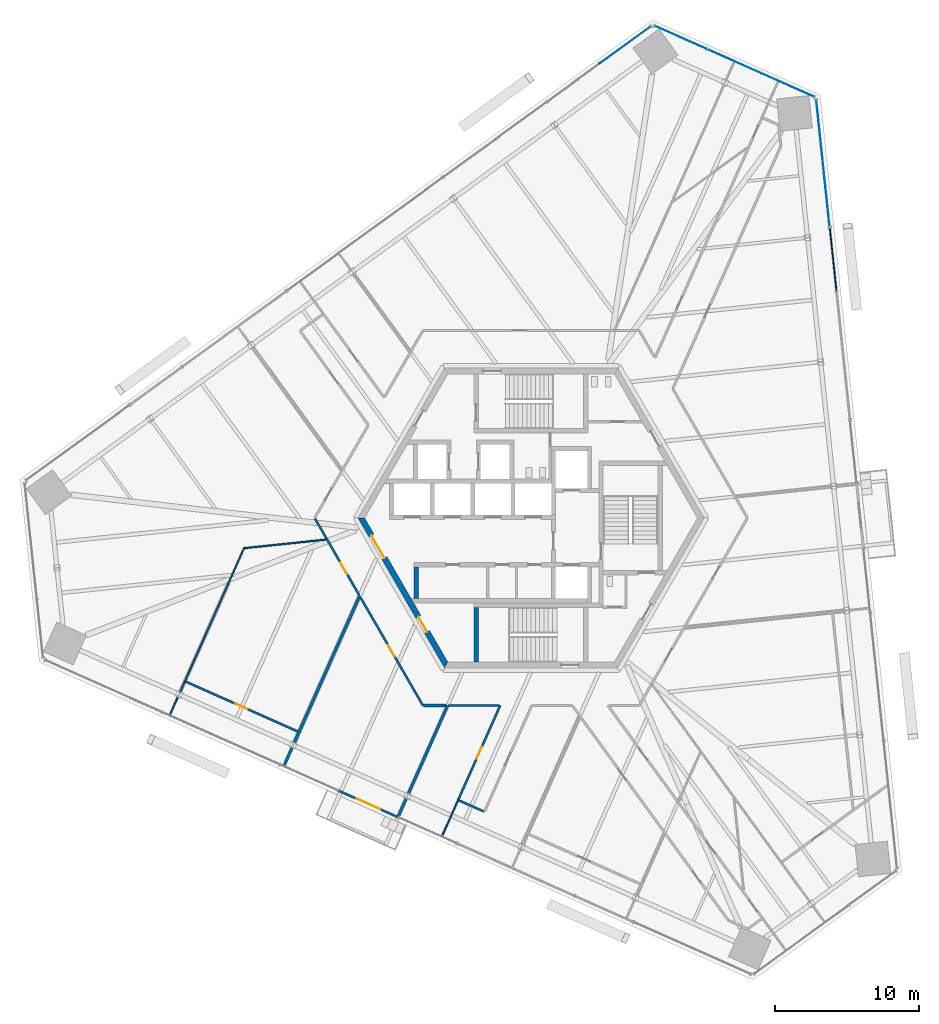
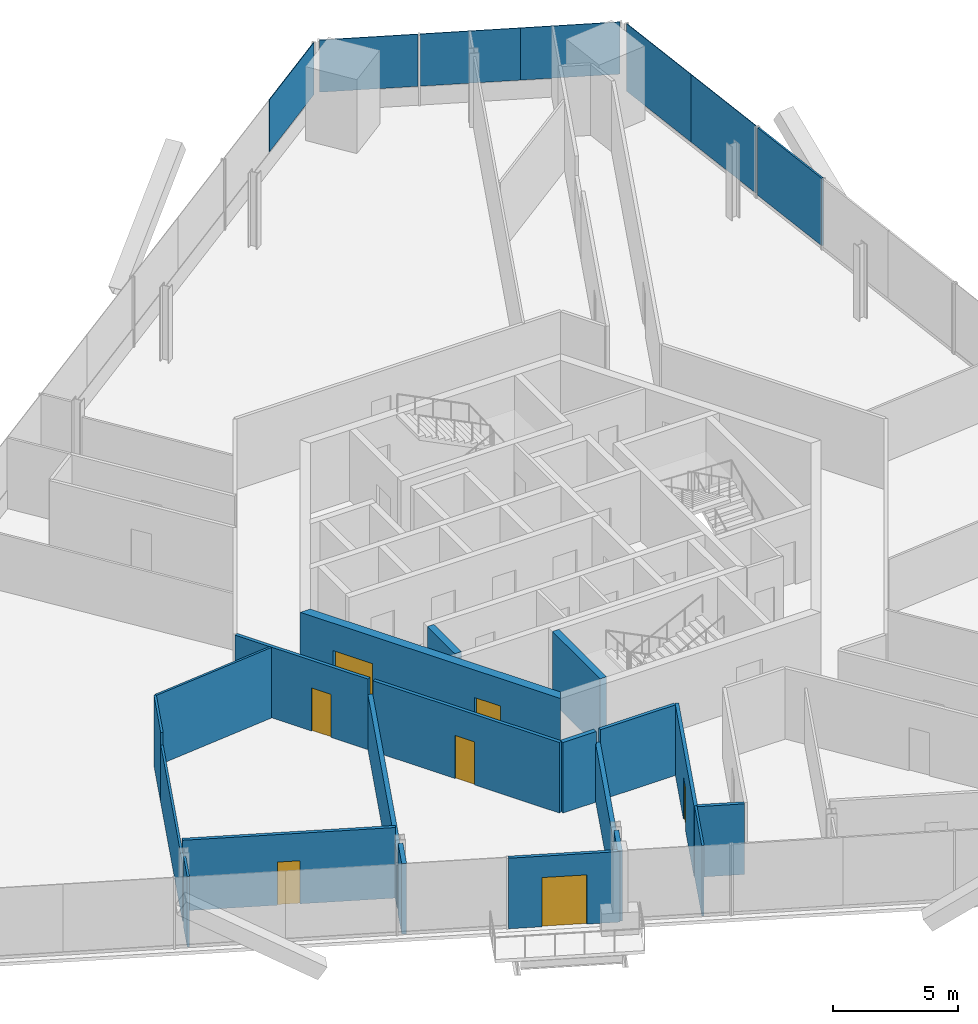
# One storey, part 10 of 18: 20 walls, 7 doors, 7 plates, 7 openings, 4 elements without a shape of their own.
"""IFC4 building model written with IfcOpenShell, lengths in metres."""

from ifc_helpers import new_model, si_unit, direction, frame, frame_2d, origin, origin_2d, place, context, subcontext, project, spatial, polyline, rectangle, outline, extrude, source, transform, mapped, material, layer, layer_set, type_object, element, fill, aggregate, save


model = new_model("IFC4")

# Units and contexts
model_context = context("Model", 3, precision=1e-05, world=origin(), true_north=direction((0.0, 1.0)))
body_context = subcontext(model_context, "Body", "Model", "MODEL_VIEW")
ifc_project = project(units=[si_unit("LENGTHUNIT", "METRE"), si_unit("AREAUNIT", "SQUARE_METRE"), si_unit("VOLUMEUNIT", "CUBIC_METRE"), si_unit("PLANEANGLEUNIT", "RADIAN"), si_unit("MASSUNIT", "GRAM", prefix="KILO")], contexts=[model_context])

# Site, building, storey
site_placement = place(None, origin())
site = spatial("IfcSite", under=ifc_project, at=site_placement, CompositionType="ELEMENT")
building_placement = place(site_placement, origin())
building = spatial("IfcBuilding", under=site, at=building_placement, Name="Triune Harvest Tower", CompositionType="ELEMENT")
storey_placement = place(building_placement, frame((0.0, 0.0, 83.699951171875)))
storey = spatial("IfcBuildingStorey", under=building, at=storey_placement, Name="L20", CompositionType="ELEMENT", Elevation=83.699951171875)

# Curtain wall, plates
ifc_material_1 = material(Name="Aluminium bronze anodised", Category="aluminium")
curtain_wall_type_1 = type_object("IfcCurtainWallType", Name="CW-1 Tower stick curtain wall", PredefinedType="NOTDEFINED", material=ifc_material_1)
curtain_wall_1_placement = place(storey_placement, origin())
curtain_wall_1 = element("IfcCurtainWall", 1, at=curtain_wall_1_placement, inside=storey, type_object=curtain_wall_type_1, Name="CW-1 B2-F2 L20 run 1")
ifc_material_2 = material(Name="Glass", Category="glass")
ifc_layer_1 = layer(ifc_material_2, 0.031982421875)
ifc_layer_set_1 = layer_set([ifc_layer_1], Name="Glass")
plate_type_1 = type_object("IfcPlateType", Name="GL-1 panel 32", PredefinedType="CURTAIN_PANEL", material=ifc_layer_set_1)
shared_shape_1 = source(origin(), body_context, "Body", "SweptSolid", [
    extrude(rectangle(XDim=3.99853515625, YDim=0.031982421875, at=origin_2d()), origin(), (0.0, 0.0, 1.0), 2.5400390625),
])
plate_1_placement = place(storey_placement, frame((17.783203125, 30.018798828125, 0.900146484375), z_axis=(0.0, 0.0, 1.0), x_axis=(-0.913546644034, 0.406733978386, 0.0)))
plate_1 = element("IfcPlate", 2, at=plate_1_placement, type_object=plate_type_1, Name="CW-1 panel B2-F2 1.1", PredefinedType="CURTAIN_PANEL", context=body_context, shape_type="MappedRepresentation", body=[
    mapped(shared_shape_1, transform((0.0, 0.0, 0.0), scale=1.0)),
])
shared_shape_2 = source(origin(), body_context, "Body", "SweptSolid", [
    extrude(rectangle(XDim=4.035888671875, YDim=0.031982421875, at=origin_2d()), origin(), (0.0, 0.0, 1.0), 2.5400390625),
])
plate_2_placement = place(storey_placement, frame((14.11328125, 31.65283203125, 0.900146484375), z_axis=(0.0, 0.0, 1.0), x_axis=(-0.913546644034, 0.406733978386, 0.0)))
plate_2 = element("IfcPlate", 3, at=plate_2_placement, type_object=plate_type_1, Name="CW-1 panel B2-F2 1.2", PredefinedType="CURTAIN_PANEL", context=body_context, shape_type="MappedRepresentation", body=[
    mapped(shared_shape_2, transform((0.0, 0.0, 0.0), scale=1.0)),
])
shared_shape_3 = source(origin(), body_context, "Body", "SweptSolid", [
    extrude(rectangle(XDim=3.9609375, YDim=0.031982421875, at=origin_2d()), origin(), (0.0, 0.0, 1.0), 2.5400390625),
])
plate_3_placement = place(storey_placement, frame((10.39208984375, 33.3095703125, 0.900146484375), z_axis=(0.0, 0.0, 1.0), x_axis=(-0.913546644034, 0.406733978386, 0.0)))
plate_3 = element("IfcPlate", 4, at=plate_3_placement, type_object=plate_type_1, Name="CW-1 panel B2-F2 1.3", PredefinedType="CURTAIN_PANEL", context=body_context, shape_type="MappedRepresentation", body=[
    mapped(shared_shape_3, transform((0.0, 0.0, 0.0), scale=1.0)),
])
aggregate(curtain_wall_1, [plate_1, plate_2, plate_3])

# Curtain wall, plate
curtain_wall_2_placement = place(storey_placement, origin())
curtain_wall_2 = element("IfcCurtainWall", 5, at=curtain_wall_2_placement, inside=storey, type_object=curtain_wall_type_1, Name="CW-1 B2-F3 L20 run 1")
shared_shape_4 = source(origin(), body_context, "Body", "SweptSolid", [
    extrude(rectangle(XDim=4.3955078125, YDim=0.031982421875, at=origin_2d()), origin(), (0.0, 0.0, 1.0), 2.5400390625),
])
plate_4_placement = place(storey_placement, frame((6.5205078125, 32.79345703125, 0.900146484375), z_axis=(0.0, 0.0, 1.0), x_axis=(-0.809017907488, -0.587783995498, 0.0)))
plate_4 = element("IfcPlate", 6, at=plate_4_placement, type_object=plate_type_1, Name="CW-1 panel B2-F3 1.1", PredefinedType="CURTAIN_PANEL", context=body_context, shape_type="MappedRepresentation", body=[
    mapped(shared_shape_4, transform((0.0, 0.0, 0.0), scale=1.0)),
])
aggregate(curtain_wall_2, [plate_4])

# Curtain wall, plates
ifc_material_3 = material(Name="Aluminium bronze anodised", Category="aluminium")
curtain_wall_type_2 = type_object("IfcCurtainWallType", Name="CW-6 Balcony window wall", PredefinedType="NOTDEFINED", material=ifc_material_3)
curtain_wall_3_placement = place(storey_placement, origin())
curtain_wall_3 = element("IfcCurtainWall", 7, at=curtain_wall_3_placement, inside=storey, type_object=curtain_wall_type_2, Name="CW-6 B2-F1 L20 run 2002")
ifc_material_4 = material(Name="Glass", Category="glass")
ifc_layer_2 = layer(ifc_material_4, 0.030029296875)
ifc_layer_set_2 = layer_set([ifc_layer_2], Name="Glass")
plate_type_2 = type_object("IfcPlateType", Name="GL-6 panel 30", PredefinedType="CURTAIN_PANEL", material=ifc_layer_set_2)
shared_shape_5 = source(origin(), body_context, "Body", "SweptSolid", [
    extrude(rectangle(XDim=4.3955078125, YDim=0.030029296875, at=origin_2d()), origin(), (0.0, 0.0, 1.0), 3.2900390625),
])
plate_5_placement = place(storey_placement, frame((20.466552734375, 22.417236328125, 0.150146484375), z_axis=(0.0, 0.0, 1.0), x_axis=(-0.104526845393, 0.994522065412, 0.0)))
plate_5 = element("IfcPlate", 8, at=plate_5_placement, type_object=plate_type_2, Name="CW-6 panel B2-F1 2002.1", PredefinedType="CURTAIN_PANEL", context=body_context, shape_type="MappedRepresentation", body=[
    mapped(shared_shape_5, transform((0.0, 0.0, 0.0), scale=1.0)),
])
plate_6_placement = place(storey_placement, frame((20.007080078125, 26.788818359375, 0.150146484375), z_axis=(0.0, 0.0, 1.0), x_axis=(-0.104526845393, 0.994522065412, 0.0)))
plate_6 = element("IfcPlate", 9, at=plate_6_placement, type_object=plate_type_2, Name="CW-6 panel B2-F1 2002.2", PredefinedType="CURTAIN_PANEL", context=body_context, shape_type="MappedRepresentation", body=[
    mapped(shared_shape_5, transform((0.0, 0.0, 0.0), scale=1.0)),
])
aggregate(curtain_wall_3, [plate_5, plate_6])

# Curtain wall, plate
ifc_material_5 = material(Name="Aluminium bronze anodised", Category="aluminium")
curtain_wall_type_3 = type_object("IfcCurtainWallType", Name="CW-10 Balcony window wall with insulated spandrel infill", PredefinedType="NOTDEFINED", material=ifc_material_5)
curtain_wall_4_placement = place(storey_placement, origin())
curtain_wall_4 = element("IfcCurtainWall", 10, at=curtain_wall_4_placement, inside=storey, type_object=curtain_wall_type_3, Name="CW-10 B2-F1 L20 run 1002")
ifc_material_6 = material(Name="Insulated spandrel panel, bronze aluminium pan", Category="aluminium")
ifc_layer_3 = layer(ifc_material_6, 0.080078125)
ifc_layer_set_3 = layer_set([ifc_layer_3], Name="Insulated spandrel panel, bronze aluminium pan")
plate_type_3 = type_object("IfcPlateType", Name="SP-1 insulated spandrel panel 80", PredefinedType="CURTAIN_PANEL", material=ifc_layer_set_3)
shared_shape_6 = source(origin(), body_context, "Body", "SweptSolid", [
    extrude(rectangle(XDim=4.358154296875, YDim=0.080078125, at=origin_2d()), origin(), (0.0, 0.0, 1.0), 3.2900390625),
])
plate_7_placement = place(storey_placement, frame((20.939697265625, 17.915283203125, 0.150146484375), z_axis=(0.0, 0.0, 1.0), x_axis=(-0.104527591495, 0.994521986995, 0.0)))
plate_7 = element("IfcPlate", 11, at=plate_7_placement, type_object=plate_type_3, Name="CW-10 panel B2-F1 1002.3", PredefinedType="CURTAIN_PANEL", context=body_context, shape_type="MappedRepresentation", body=[
    mapped(shared_shape_6, transform((0.0, 0.0, 0.0), scale=1.0)),
])
aggregate(curtain_wall_4, [plate_7])

# Walls
ifc_material_7 = material(Name="Gypsum board on steel studs", Category="steel")
ifc_layer_4 = layer(ifc_material_7, 0.199951171875)
ifc_layer_set_4 = layer_set([ifc_layer_4], Name="Gypsum board on steel studs")
wall_type_1 = type_object("IfcWallType", Name="Fire Wall 200 mm", PredefinedType="PARTITIONING", material=ifc_layer_set_4)
wall_1_placement = place(storey_placement, frame((-8.5029296875, -19.098388671875, 0.0), z_axis=(0.0, 0.0, 1.0), x_axis=(0.406717906422, 0.913553799508, 0.0)))
element("IfcWall", 12, at=wall_1_placement, inside=storey, type_object=wall_type_1, Name="Partition L20 054", PredefinedType="PARTITIONING", context=body_context, shape_type="SweptSolid", body=[
    extrude(rectangle(XDim=6.68408203125, YDim=0.199951171875, at=frame_2d((3.342041015625, 0.0))), origin(), (0.0, 0.0, 1.0), 2.827880859375),
])
wall_2_placement = place(storey_placement, frame((-16.41650390625, -15.5751953125, 0.0), z_axis=(0.0, 0.0, 1.0), x_axis=(0.40673824314, 0.913544745247, 0.0)))
element("IfcWall", 13, at=wall_2_placement, inside=storey, type_object=wall_type_1, Name="Partition L20 058", PredefinedType="PARTITIONING", context=body_context, shape_type="SweptSolid", body=[
    extrude(rectangle(XDim=11.139892578125, YDim=0.199951171875, at=frame_2d((5.56982421875, 0.0))), origin(), (0.0, 0.0, 1.0), 2.68310546875),
])

# Wall, openings, doors
ifc_material_8 = material(Name="Concrete 70 MPa", Category="concrete")
ifc_layer_5 = layer(ifc_material_8, 0.39990234375)
ifc_layer_set_5 = layer_set([ifc_layer_5], Name="Concrete 70 MPa")
wall_type_2 = type_object("IfcWallType", Name="Core wall 400", PredefinedType="SHEAR", material=ifc_layer_set_5)
shared_shape_7 = source(origin(), body_context, "Body", "SweptSolid", [
    extrude(outline(polyline([(-0.115478515625, -0.199951171875), (11.884521484375, -0.199951171875), (11.653564453125, 0.199951171875), (0.115478515625, 0.199951171875), (-0.115478515625, -0.199951171875)])), origin(), (0.0, 0.0, 1.0), 3.43994140625),
])
wall_3_placement = place(storey_placement, frame((-11.76904296875, 0.0, 0.0), z_axis=(0.0, 0.0, 1.0), x_axis=(0.499996592174, -0.866027371285, 0.0)))
wall_3 = element("IfcWall", 14, at=wall_3_placement, inside=storey, type_object=wall_type_2, Name="Hexagon 3 wall", PredefinedType="SHEAR", context=body_context, shape_type="MappedRepresentation", body=[
    mapped(shared_shape_7, transform((0.0, 0.0, 0.0), scale=1.0)),
])
opening_1_placement = place(wall_3_placement, frame((1.404541015625, 0.0, 0.0)))
opening_1 = element("IfcOpeningElement", 15, at=opening_1_placement, cuts=wall_3, Name="Opening CD-LS", PredefinedType="OPENING", context=body_context, shape_type="SweptSolid", body=[
    extrude(rectangle(XDim=1.800048828125, YDim=2.10009765625, at=frame_2d((0.89990234375, 1.050048828125))), frame((0.0, 0.2099609375, 0.0), z_axis=(0.0, -1.0, 0.0), x_axis=(1.0, 0.0, 0.0)), (0.0, 0.0, 1.0), 0.419921875),
])
opening_2_placement = place(wall_3_placement, frame((7.91455078125, 0.0, 0.0)))
opening_2 = element("IfcOpeningElement", 16, at=opening_2_placement, cuts=wall_3, Name="Opening CD-SWP", PredefinedType="OPENING", context=body_context, shape_type="SweptSolid", body=[
    extrude(rectangle(XDim=1.199951171875, YDim=2.10009765625, at=frame_2d((0.60009765625, 1.050048828125))), frame((0.0, 0.2099609375, 0.0), z_axis=(0.0, -1.0, 0.0), x_axis=(1.0, 0.0, 0.0)), (0.0, 0.0, 1.0), 0.419921875),
])
ifc_material_9 = material(Name="Steel S235", Category="steel")
door_type_1 = type_object("IfcDoorType", Name="Lobby door 1800 FD120", OperationType="DOUBLE_DOOR_DOUBLE_SWING", PredefinedType="DOOR", material=ifc_material_9)
door_1_placement = place(opening_1_placement, frame((1.800048828125, 0.0, 0.0), z_axis=(0.0, 0.0, 1.0), x_axis=(-1.0, 0.0, 0.0)))
door_1 = element("IfcDoor", 17, at=door_1_placement, inside=storey, type_object=door_type_1, Name="Door CD-LS", OperationType="DOUBLE_DOOR_DOUBLE_SWING", OverallHeight=2.10009765625, OverallWidth=1.800048828125, PredefinedType="DOOR", context=body_context, shape_type="SweptSolid", body=[
    extrude(rectangle(XDim=1.800048828125, YDim=2.10009765625, at=frame_2d((0.89990234375, 1.050048828125))), frame((0.0, 0.02490234375, 0.0), z_axis=(0.0, -1.0, 0.0), x_axis=(1.0, 0.0, 0.0)), (0.0, 0.0, 1.0), 0.050048828125),
])
fill(opening_1, door_1)
ifc_material_10 = material(Name="Steel S235", Category="steel")
door_type_2 = type_object("IfcDoorType", Name="Service door 1200 FD120", OperationType="SINGLE_SWING_LEFT", PredefinedType="DOOR", material=ifc_material_10)
door_2_placement = place(opening_2_placement, frame((1.199951171875, 0.0, 0.0), z_axis=(0.0, 0.0, 1.0), x_axis=(-1.0, 0.0, 0.0)))
door_2 = element("IfcDoor", 18, at=door_2_placement, inside=storey, type_object=door_type_2, Name="Door CD-SWP", OperationType="SINGLE_SWING_RIGHT", OverallHeight=2.10009765625, OverallWidth=1.199951171875, PredefinedType="DOOR", context=body_context, shape_type="SweptSolid", body=[
    extrude(rectangle(XDim=1.199951171875, YDim=2.10009765625, at=frame_2d((0.60009765625, 1.050048828125))), frame((0.0, 0.02490234375, 0.0), z_axis=(0.0, -1.0, 0.0), x_axis=(1.0, 0.0, 0.0)), (0.0, 0.0, 1.0), 0.050048828125),
])
fill(opening_2, door_2)

# Walls
ifc_material_11 = material(Name="Concrete 70 MPa", Category="concrete")
ifc_layer_6 = layer(ifc_material_11, 0.300048828125)
ifc_layer_set_6 = layer_set([ifc_layer_6], Name="Concrete 70 MPa")
wall_type_3 = type_object("IfcWallType", Name="Core wall 300", PredefinedType="SHEAR", material=ifc_layer_set_6)
shared_shape_8 = source(origin(), body_context, "Body", "SweptSolid", [
    extrude(rectangle(XDim=2.2001953125, YDim=0.300048828125, at=frame_2d((1.10009765625, 0.0))), origin(), (0.0, 0.0, 1.0), 3.43994140625),
])
wall_4_placement = place(storey_placement, frame((-7.949951171875, -5.590087890625, 0.0), z_axis=(0.0, 0.0, 1.0), x_axis=(0.0, 1.0, 0.0)))
element("IfcWall", 19, at=wall_4_placement, inside=storey, type_object=wall_type_3, Name="South end west wall", PredefinedType="SHEAR", context=body_context, shape_type="MappedRepresentation", body=[
    mapped(shared_shape_8, transform((0.0, 0.0, 0.0), scale=1.0)),
])
shared_shape_9 = source(origin(), body_context, "Body", "SweptSolid", [
    extrude(outline(polyline([(3.800048828125, -0.14990234375), (-0.00439453125, -0.14990234375), (-0.00439453125, 0.14990234375), (3.800048828125, 0.14990234375), (3.800048828125, -0.14990234375)])), origin(), (0.0, 0.0, 1.0), 3.43994140625),
])
wall_5_placement = place(storey_placement, frame((-3.800048828125, -9.989990234375, 0.0), z_axis=(0.0, 0.0, 1.0), x_axis=(0.0, 1.0, 0.0)))
element("IfcWall", 20, at=wall_5_placement, inside=storey, type_object=wall_type_3, Name="Stair s west wall", PredefinedType="SHEAR", context=body_context, shape_type="MappedRepresentation", body=[
    mapped(shared_shape_9, transform((0.0, 0.0, 0.0), scale=1.0)),
])

# Wall, opening, door
ifc_material_12 = material(Name="Aluminium bronze anodised", Category="aluminium")
ifc_layer_7 = layer(ifc_material_12, 0.14990234375)
ifc_layer_set_7 = layer_set([ifc_layer_7], Name="Aluminium bronze anodised")
wall_type_4 = type_object("IfcWallType", Name="WW-2 balcony window wall", PredefinedType="ELEMENTEDWALL", material=ifc_layer_set_7)
shared_shape_10 = source(origin(), body_context, "Body", "SweptSolid", [
    extrude(rectangle(XDim=4.485595703125, YDim=0.14990234375, at=frame_2d((2.24267578125, 0.0))), origin(), (0.0, 0.0, 1.0), 3.43994140625),
])
wall_6_placement = place(storey_placement, frame((-9.23193359375, -20.735595703125, 0.0), z_axis=(0.0, 0.0, 1.0), x_axis=(-0.91354876379, 0.406729217266, 0.0)))
wall_6 = element("IfcWall", 21, at=wall_6_placement, inside=storey, type_object=wall_type_4, Name="WW-2 B2-F5 L20.6", PredefinedType="ELEMENTEDWALL", context=body_context, shape_type="MappedRepresentation", body=[
    mapped(shared_shape_10, transform((0.0, 0.0, 0.0), scale=1.0)),
])
opening_3_placement = place(wall_6_placement, frame((1.3427734375, 0.0, 0.0)))
opening_3 = element("IfcOpeningElement", 22, at=opening_3_placement, cuts=wall_6, Name="Opening L20-E02", PredefinedType="OPENING", context=body_context, shape_type="SweptSolid", body=[
    extrude(rectangle(XDim=1.800048828125, YDim=2.39990234375, at=frame_2d((0.89990234375, 1.199951171875))), frame((0.0, 0.0849609375, 0.0), z_axis=(0.0, -1.0, 0.0), x_axis=(1.0, 0.0, 0.0)), (0.0, 0.0, 1.0), 0.169921875),
])
ifc_material_13 = material(Name="Glass", Category="glass")
door_type_3 = type_object("IfcDoorType", Name="DB-1 balcony door 1800 x 2400", OperationType="DOUBLE_DOOR_SINGLE_SWING", PredefinedType="DOOR", material=ifc_material_13)
door_3_placement = place(opening_3_placement, origin())
door_3 = element("IfcDoor", 23, at=door_3_placement, inside=storey, type_object=door_type_3, Name="Door L20-E02", OperationType="DOUBLE_DOOR_SINGLE_SWING", OverallHeight=2.39990234375, OverallWidth=1.800048828125, PredefinedType="DOOR", context=body_context, shape_type="SweptSolid", body=[
    extrude(rectangle(XDim=1.800048828125, YDim=2.39990234375, at=frame_2d((0.89990234375, 1.199951171875))), frame((0.0, 0.02490234375, 0.0), z_axis=(0.0, -1.0, 0.0), x_axis=(1.0, 0.0, 0.0)), (0.0, 0.0, 1.0), 0.050048828125),
])
fill(opening_3, door_3)

# Walls
shared_shape_11 = source(origin(), body_context, "Body", "SweptSolid", [
    extrude(rectangle(XDim=1.41845703125, YDim=0.199951171875, at=frame_2d((0.709228515625, 0.0))), origin(), (0.0, 0.0, 1.0), 3.43994140625),
])
wall_7_placement = place(storey_placement, frame((-9.23193359375, -20.735595703125, 0.0), z_axis=(0.0, 0.0, 1.0), x_axis=(0.406697305895, 0.913562970669, 0.0)))
element("IfcWall", 24, at=wall_7_placement, inside=storey, type_object=wall_type_1, Name="Partition L20 053", PredefinedType="PARTITIONING", context=body_context, shape_type="MappedRepresentation", body=[
    mapped(shared_shape_11, transform((0.0, 0.0, 0.0), scale=1.0)),
])
ifc_material_14 = material(Name="Gypsum board on steel studs", Category="steel")
ifc_layer_8 = layer(ifc_material_14, 0.10009765625)
ifc_layer_set_8 = layer_set([ifc_layer_8], Name="Gypsum board on steel studs")
wall_type_5 = type_object("IfcWallType", Name="Partition 100 mm", PredefinedType="PARTITIONING", material=ifc_layer_set_8)
shared_shape_12 = source(origin(), body_context, "Body", "SweptSolid", [
    extrude(rectangle(XDim=1.418212890625, YDim=0.10009765625, at=frame_2d((0.708984375, 0.0))), origin(), (0.0, 0.0, 1.0), 3.43994140625),
])
wall_8_placement = place(storey_placement, frame((-25.05859375, -13.68896484375, 0.0), z_axis=(0.0, 0.0, 1.0), x_axis=(0.40676126154, 0.913534496399, 0.0)))
element("IfcWall", 25, at=wall_8_placement, inside=storey, type_object=wall_type_5, Name="Partition L20 059", PredefinedType="PARTITIONING", context=body_context, shape_type="MappedRepresentation", body=[
    mapped(shared_shape_12, transform((0.0, 0.0, 0.0), scale=1.0)),
])
shared_shape_13 = source(origin(), body_context, "Body", "SweptSolid", [
    extrude(rectangle(XDim=2.779296875, YDim=0.10009765625, at=frame_2d((1.3896484375, 0.0))), origin(), (0.0, 0.0, 1.0), 3.43994140625),
])
wall_9_placement = place(storey_placement, frame((-6.189208984375, -22.09033203125, 0.0), z_axis=(0.0, 0.0, 1.0), x_axis=(0.406814859578, 0.9135106294, 0.0)))
element("IfcWall", 26, at=wall_9_placement, inside=storey, type_object=wall_type_5, Name="Partition L20 049", PredefinedType="PARTITIONING", context=body_context, shape_type="MappedRepresentation", body=[
    mapped(shared_shape_13, transform((0.0, 0.0, 0.0), scale=1.0)),
])
shared_shape_14 = source(origin(), body_context, "Body", "SweptSolid", [
    extrude(rectangle(XDim=2.61181640625, YDim=0.10009765625, at=frame_2d((1.305908203125, 0.0))), origin(), (0.0, 0.0, 1.0), 3.43994140625),
])
wall_10_placement = place(storey_placement, frame((-20.957275390625, -4.47705078125, 0.0), z_axis=(0.0, 0.0, 1.0), x_axis=(0.406719484736, 0.913553096835, 0.0)))
element("IfcWall", 27, at=wall_10_placement, inside=storey, type_object=wall_type_5, Name="Partition L20 060a", PredefinedType="PARTITIONING", context=body_context, shape_type="MappedRepresentation", body=[
    mapped(shared_shape_14, transform((0.0, 0.0, 0.0), scale=1.0)),
])
shared_shape_15 = source(origin(), body_context, "Body", "SweptSolid", [
    extrude(rectangle(XDim=8.29150390625, YDim=0.10009765625, at=frame_2d((4.145751953125, 0.0))), origin(), (0.0, 0.0, 1.0), 2.827880859375),
])
wall_11_placement = place(storey_placement, frame((-24.329833984375, -12.0517578125, 0.0), z_axis=(0.0, 0.0, 1.0), x_axis=(0.406744870427, 0.913541794546, 0.0)))
element("IfcWall", 28, at=wall_11_placement, inside=storey, type_object=wall_type_5, Name="Partition L20 060", PredefinedType="PARTITIONING", context=body_context, shape_type="MappedRepresentation", body=[
    mapped(shared_shape_15, transform((0.0, 0.0, 0.0), scale=1.0)),
])
shared_shape_16 = source(origin(), body_context, "Body", "SweptSolid", [
    extrude(rectangle(XDim=1.418212890625, YDim=0.199951171875, at=frame_2d((0.708984375, 0.0))), origin(), (0.0, 0.0, 1.0), 3.43994140625),
])
wall_12_placement = place(storey_placement, frame((-17.145263671875, -17.212158203125, 0.0), z_axis=(0.0, 0.0, 1.0), x_axis=(0.40676126154, 0.913534496399, 0.0)))
element("IfcWall", 29, at=wall_12_placement, inside=storey, type_object=wall_type_1, Name="Partition L20 057", PredefinedType="PARTITIONING", context=body_context, shape_type="MappedRepresentation", body=[
    mapped(shared_shape_16, transform((0.0, 0.0, 0.0), scale=1.0)),
])

# Wall, opening, door
ifc_material_15 = material(Name="Gypsum board on steel studs", Category="steel")
ifc_layer_9 = layer(ifc_material_15, 0.14990234375)
ifc_layer_set_9 = layer_set([ifc_layer_9], Name="Gypsum board on steel studs")
wall_type_6 = type_object("IfcWallType", Name="Fire Partition 150 mm", PredefinedType="PARTITIONING", material=ifc_layer_set_9)
shared_shape_17 = source(origin(), body_context, "Body", "SweptSolid", [
    extrude(rectangle(XDim=6.1201171875, YDim=0.14990234375, at=frame_2d((3.06005859375, 0.0))), origin(), (0.0, 0.0, 1.0), 3.43994140625),
])
wall_13_placement = place(storey_placement, frame((-14.977294921875, -0.043212890625, 0.0), z_axis=(0.0, 0.0, 1.0), x_axis=(0.500009065664, -0.866020169658, 0.0)))
wall_13 = element("IfcWall", 30, at=wall_13_placement, inside=storey, type_object=wall_type_6, Name="Partition L20 004", PredefinedType="PARTITIONING", context=body_context, shape_type="MappedRepresentation", body=[
    mapped(shared_shape_17, transform((0.0, 0.0, 0.0), scale=1.0)),
])
opening_4_placement = place(wall_13_placement, frame((3.5166015625, 0.0, 0.0)))
opening_4 = element("IfcOpeningElement", 31, at=opening_4_placement, cuts=wall_13, Name="Opening L20-012", PredefinedType="OPENING", context=body_context, shape_type="SweptSolid", body=[
    extrude(rectangle(XDim=0.89990234375, YDim=2.10009765625, at=frame_2d((0.449951171875, 1.050048828125))), frame((0.0, 0.0849609375, 0.0), z_axis=(0.0, -1.0, 0.0), x_axis=(1.0, 0.0, 0.0)), (0.0, 0.0, 1.0), 0.169921875),
])
ifc_material_16 = material(Name="Timber and steel door set", Category="steel")
door_type_4 = type_object("IfcDoorType", Name="Single leaf door FD30 left hand 900 x 2100", OperationType="SINGLE_SWING_LEFT", PredefinedType="DOOR", material=ifc_material_16)
door_4_placement = place(opening_4_placement, origin())
door_4 = element("IfcDoor", 32, at=door_4_placement, inside=storey, type_object=door_type_4, Name="Door L20-012 Tasting Room 20.12", OperationType="SINGLE_SWING_LEFT", OverallHeight=2.10009765625, OverallWidth=0.89990234375, PredefinedType="DOOR", context=body_context, shape_type="SweptSolid", body=[
    extrude(rectangle(XDim=0.89990234375, YDim=2.10009765625, at=frame_2d((0.449951171875, 1.050048828125))), frame((0.0, 0.02490234375, 0.0), z_axis=(0.0, -1.0, 0.0), x_axis=(1.0, 0.0, 0.0)), (0.0, 0.0, 1.0), 0.050048828125),
])
fill(opening_4, door_4)

shared_shape_18 = source(origin(), body_context, "Body", "SweptSolid", [
    extrude(rectangle(XDim=8.6123046875, YDim=0.14990234375, at=frame_2d((4.30615234375, 0.0))), origin(), (0.0, 0.0, 1.0), 3.43994140625),
])
wall_14_placement = place(storey_placement, frame((-11.80712890625, -5.533935546875, 0.0), z_axis=(0.0, 0.0, 1.0), x_axis=(0.499998921569, -0.866026026416, 0.0)))
wall_14 = element("IfcWall", 33, at=wall_14_placement, inside=storey, type_object=wall_type_6, Name="Partition L20 005", PredefinedType="PARTITIONING", context=body_context, shape_type="MappedRepresentation", body=[
    mapped(shared_shape_18, transform((0.0, 0.0, 0.0), scale=1.0)),
])
opening_5_placement = place(wall_14_placement, frame((3.793701171875, 0.0, 0.0)))
opening_5 = element("IfcOpeningElement", 34, at=opening_5_placement, cuts=wall_14, Name="Opening L20-014", PredefinedType="OPENING", context=body_context, shape_type="SweptSolid", body=[
    extrude(rectangle(XDim=0.89990234375, YDim=2.10009765625, at=frame_2d((0.449951171875, 1.050048828125))), frame((0.0, 0.0849609375, 0.0), z_axis=(0.0, -1.0, 0.0), x_axis=(1.0, 0.0, 0.0)), (0.0, 0.0, 1.0), 0.169921875),
])
door_5_placement = place(opening_5_placement, origin())
door_5 = element("IfcDoor", 35, at=door_5_placement, inside=storey, type_object=door_type_4, Name="Door L20-014 Commercial Trial Kitchen 20.14", OperationType="SINGLE_SWING_LEFT", OverallHeight=2.10009765625, OverallWidth=0.89990234375, PredefinedType="DOOR", context=body_context, shape_type="SweptSolid", body=[
    extrude(rectangle(XDim=0.89990234375, YDim=2.10009765625, at=frame_2d((0.449951171875, 1.050048828125))), frame((0.0, 0.02490234375, 0.0), z_axis=(0.0, -1.0, 0.0), x_axis=(1.0, 0.0, 0.0)), (0.0, 0.0, 1.0), 0.050048828125),
])
fill(opening_5, door_5)

shared_shape_19 = source(origin(), body_context, "Body", "SweptSolid", [
    extrude(rectangle(XDim=7.178955078125, YDim=0.14990234375, at=frame_2d((3.58935546875, 0.0))), origin(), (0.0, 0.0, 1.0), 3.43994140625),
])
wall_15_placement = place(storey_placement, frame((-5.05810546875, -19.550537109375, 0.0), z_axis=(0.0, 0.0, 1.0), x_axis=(0.40673158622, 0.913547709083, 0.0)))
wall_15 = element("IfcWall", 36, at=wall_15_placement, inside=storey, type_object=wall_type_6, Name="Partition L20 050", PredefinedType="PARTITIONING", context=body_context, shape_type="MappedRepresentation", body=[
    mapped(shared_shape_19, transform((0.0, 0.0, 0.0), scale=1.0)),
])
opening_6_placement = place(wall_15_placement, frame((3.12890625, 0.0, 0.0)))
opening_6 = element("IfcOpeningElement", 37, at=opening_6_placement, cuts=wall_15, Name="Opening L20-015", PredefinedType="OPENING", context=body_context, shape_type="SweptSolid", body=[
    extrude(rectangle(XDim=0.89990234375, YDim=2.10009765625, at=frame_2d((0.449951171875, 1.050048828125))), frame((0.0, 0.0849609375, 0.0), z_axis=(0.0, -1.0, 0.0), x_axis=(1.0, 0.0, 0.0)), (0.0, 0.0, 1.0), 0.169921875),
])
door_6_placement = place(opening_6_placement, origin())
door_6 = element("IfcDoor", 38, at=door_6_placement, inside=storey, type_object=door_type_4, Name="Door L20-015 Office 20.15", OperationType="SINGLE_SWING_LEFT", OverallHeight=2.10009765625, OverallWidth=0.89990234375, PredefinedType="DOOR", context=body_context, shape_type="SweptSolid", body=[
    extrude(rectangle(XDim=0.89990234375, YDim=2.10009765625, at=frame_2d((0.449951171875, 1.050048828125))), frame((0.0, 0.02490234375, 0.0), z_axis=(0.0, -1.0, 0.0), x_axis=(1.0, 0.0, 0.0)), (0.0, 0.0, 1.0), 0.050048828125),
])
fill(opening_6, door_6)

shared_shape_20 = source(origin(), body_context, "Body", "SweptSolid", [
    extrude(rectangle(XDim=8.55224609375, YDim=0.14990234375, at=frame_2d((4.276123046875, 0.0))), origin(), (0.0, 0.0, 1.0), 3.43994140625),
])
wall_16_placement = place(storey_placement, frame((-23.973876953125, -11.325927734375, 0.0), z_axis=(0.0, 0.0, 1.0), x_axis=(0.913547668018, -0.406731678455, 0.0)))
wall_16 = element("IfcWall", 39, at=wall_16_placement, inside=storey, type_object=wall_type_6, Name="Partition L20 020", PredefinedType="PARTITIONING", context=body_context, shape_type="MappedRepresentation", body=[
    mapped(shared_shape_20, transform((0.0, 0.0, 0.0), scale=1.0)),
])
opening_7_placement = place(wall_16_placement, frame((3.820068359375, 0.0, 0.0)))
opening_7 = element("IfcOpeningElement", 40, at=opening_7_placement, cuts=wall_16, Name="Opening L20-013", PredefinedType="OPENING", context=body_context, shape_type="SweptSolid", body=[
    extrude(rectangle(XDim=0.89990234375, YDim=2.10009765625, at=frame_2d((0.449951171875, 1.050048828125))), frame((0.0, 0.0849609375, 0.0), z_axis=(0.0, -1.0, 0.0), x_axis=(1.0, 0.0, 0.0)), (0.0, 0.0, 1.0), 0.169921875),
])
ifc_material_17 = material(Name="Timber and steel door set", Category="steel")
door_type_5 = type_object("IfcDoorType", Name="Single leaf door FD30 right hand 900 x 2100", OperationType="SINGLE_SWING_RIGHT", PredefinedType="DOOR", material=ifc_material_17)
door_7_placement = place(opening_7_placement, origin())
door_7 = element("IfcDoor", 41, at=door_7_placement, inside=storey, type_object=door_type_5, Name="Door L20-013 Dry Store Room 20.13", OperationType="SINGLE_SWING_RIGHT", OverallHeight=2.10009765625, OverallWidth=0.89990234375, PredefinedType="DOOR", context=body_context, shape_type="SweptSolid", body=[
    extrude(rectangle(XDim=0.89990234375, YDim=2.10009765625, at=frame_2d((0.449951171875, 1.050048828125))), frame((0.0, 0.02490234375, 0.0), z_axis=(0.0, -1.0, 0.0), x_axis=(1.0, 0.0, 0.0)), (0.0, 0.0, 1.0), 0.050048828125),
])
fill(opening_7, door_7)

# Walls
shared_shape_21 = source(origin(), body_context, "Body", "SweptSolid", [
    extrude(rectangle(XDim=1.889892578125, YDim=0.14990234375, at=frame_2d((0.94482421875, 0.0))), origin(), (0.0, 0.0, 1.0), 3.43994140625),
])
wall_17_placement = place(storey_placement, frame((-5.00341796875, -19.574462890625, 0.0), z_axis=(0.0, 0.0, 1.0), x_axis=(0.913529006165, -0.406773591688, 0.0)))
element("IfcWall", 42, at=wall_17_placement, inside=storey, type_object=wall_type_6, Name="Partition L20 022", PredefinedType="PARTITIONING", context=body_context, shape_type="MappedRepresentation", body=[
    mapped(shared_shape_21, transform((0.0, 0.0, 0.0), scale=1.0)),
])
shared_shape_22 = source(origin(), body_context, "Body", "SweptSolid", [
    extrude(rectangle(XDim=1.5400390625, YDim=0.199951171875, at=frame_2d((0.77001953125, 0.0))), origin(), (0.0, 0.0, 1.0), 3.43994140625),
])
wall_18_placement = place(storey_placement, frame((-7.451171875, -12.9921875, 0.0), z_axis=(0.0, 0.0, 1.0), x_axis=(1.0, 0.0, 0.0)))
element("IfcWall", 43, at=wall_18_placement, inside=storey, type_object=wall_type_1, Name="Partition L20 025", PredefinedType="PARTITIONING", context=body_context, shape_type="MappedRepresentation", body=[
    mapped(shared_shape_22, transform((0.0, 0.0, 0.0), scale=1.0)),
])
shared_shape_23 = source(origin(), body_context, "Body", "SweptSolid", [
    extrude(rectangle(XDim=3.472900390625, YDim=0.14990234375, at=frame_2d((1.736328125, 0.0))), origin(), (0.0, 0.0, 1.0), 3.43994140625),
])
wall_19_placement = place(storey_placement, frame((-5.711181640625, -12.9921875, 0.0), z_axis=(0.0, 0.0, 1.0), x_axis=(1.0, 0.0, 0.0)))
element("IfcWall", 44, at=wall_19_placement, inside=storey, type_object=wall_type_6, Name="Partition L20 026", PredefinedType="PARTITIONING", context=body_context, shape_type="MappedRepresentation", body=[
    mapped(shared_shape_23, transform((0.0, 0.0, 0.0), scale=1.0)),
])
shared_shape_24 = source(origin(), body_context, "Body", "SweptSolid", [
    extrude(rectangle(XDim=5.682861328125, YDim=0.10009765625, at=frame_2d((2.84130859375, 0.0))), origin(), (0.0, 0.0, 1.0), 3.43994140625),
])
wall_20_placement = place(storey_placement, frame((-19.875, -2.089111328125, 0.0), z_axis=(0.0, 0.0, 1.0), x_axis=(0.994522154142, 0.104526001168, 0.0)))
element("IfcWall", 45, at=wall_20_placement, inside=storey, type_object=wall_type_5, Name="Partition L20 032", PredefinedType="PARTITIONING", context=body_context, shape_type="MappedRepresentation", body=[
    mapped(shared_shape_24, transform((0.0, 0.0, 0.0), scale=1.0)),
])

save(model, "model.ifc")
